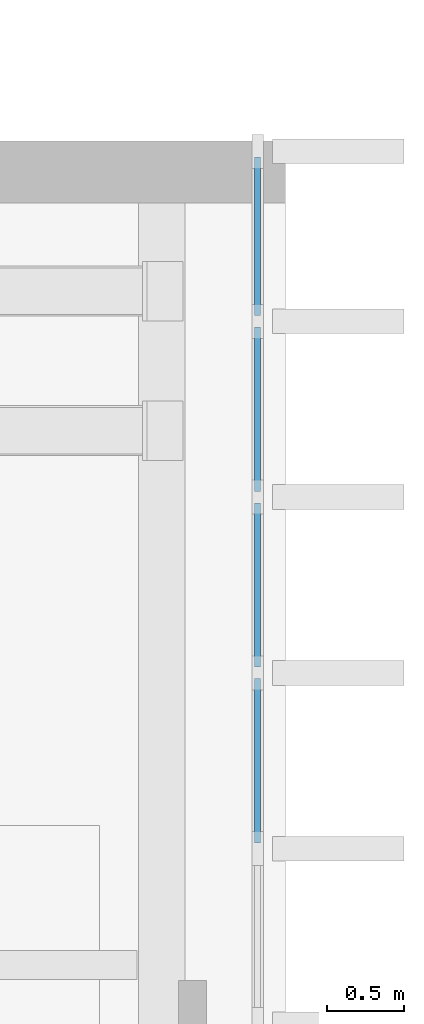
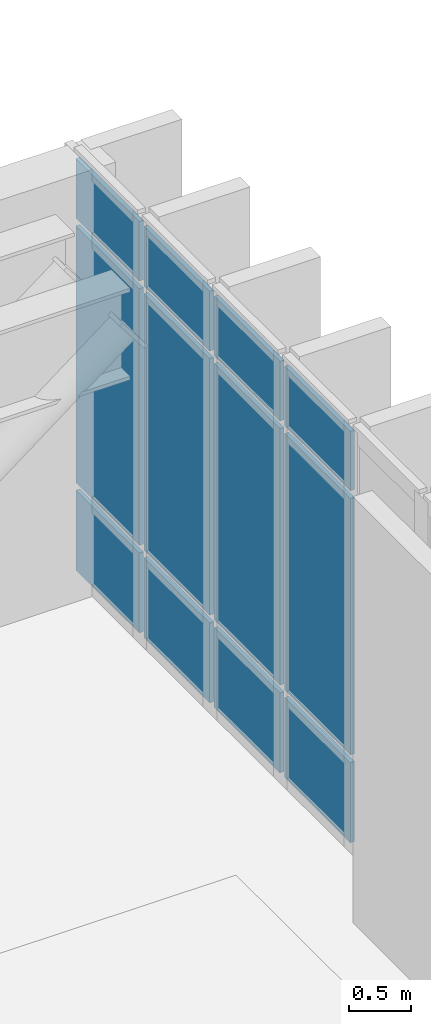
# One storey, part 35 of 54: 12 plates, 1 element without a shape of its own.
"""IFC4 building model written with IfcOpenShell, lengths in metres."""

from ifc_helpers import new_model, si_unit, direction, frame, origin, origin_2d, place, context, subcontext, project, spatial, rectangle, extrude, material, layer, layer_set, type_object, element, aggregate, save


model = new_model("IFC4")

# Units and contexts
model_context = context("Model", 3, precision=1e-05, world=origin(), true_north=direction((0.0, 1.0)))
body_context = subcontext(model_context, "Body", "Model", "MODEL_VIEW")
ifc_project = project(units=[si_unit("LENGTHUNIT", "METRE"), si_unit("AREAUNIT", "SQUARE_METRE"), si_unit("VOLUMEUNIT", "CUBIC_METRE"), si_unit("PLANEANGLEUNIT", "RADIAN"), si_unit("MASSUNIT", "GRAM", prefix="KILO")], contexts=[model_context])

# Site, building, storey
site_placement = place(None, origin())
site = spatial("IfcSite", under=ifc_project, at=site_placement, CompositionType="ELEMENT")
building_placement = place(site_placement, origin())
building = spatial("IfcBuilding", under=site, at=building_placement, Name="Kelarvand Opera House", CompositionType="ELEMENT")
storey_placement = place(building_placement, frame((0.0, 0.0, 15.0)))
storey = spatial("IfcBuildingStorey", under=building, at=storey_placement, Name="L03", CompositionType="ELEMENT", Elevation=15.0)

# Curtain wall, plates
ifc_material_1 = material(Name="Thermally broken aluminium and low-E glazing", Category="aluminium")
ifc_layer_1 = layer(ifc_material_1, 0.219970703125, Name="Thermally broken aluminium and low-E glazing", Category="aluminium")
ifc_layer_set_1 = layer_set([ifc_layer_1], Name="Thermally broken aluminium and low-E glazing")
curtain_wall_type = type_object("IfcCurtainWallType", Name="Unitised Low-E Curtain Wall 15886x4200 Mod 1150 CWF-07", PredefinedType="USERDEFINED", material=ifc_layer_set_1)
curtain_wall_placement = place(storey_placement, origin())
curtain_wall = element("IfcCurtainWall", 1, at=curtain_wall_placement, inside=storey, type_object=curtain_wall_type, Name="V1 L03 Curtain Wall CWF-07 (21)", ObjectType="UNITISED CURTAIN WALL", PredefinedType="USERDEFINED")
ifc_material_2 = material(Name="Acoustic triple-laminated low-E glazing", Category="glass")
ifc_layer_2 = layer(ifc_material_2, 0.0400390625, Name="Acoustic triple-laminated low-E glazing", Category="glass")
ifc_layer_set_2 = layer_set([ifc_layer_2], Name="Acoustic triple-laminated low-E glazing")
plate_type = type_object("IfcPlateType", Name="Acoustic Laminated Plaza Curtain Panel 40mm", PredefinedType="CURTAIN_PANEL", material=ifc_layer_set_2)
plate_1_placement = place(storey_placement, frame((154.820068359375, 77.803955078125, 0.074951171875), z_axis=(0.0, 0.0, 1.0), x_axis=(0.0, -1.0, 0.0)))
plate_1 = element("IfcPlate", 2, at=plate_1_placement, type_object=plate_type, Name="CWF-07 panel 1.1", PredefinedType="CURTAIN_PANEL", context=body_context, shape_type="SweptSolid", body=[
    extrude(rectangle(XDim=1.022216796875, YDim=0.0400390625, at=origin_2d()), origin(), (0.0, 0.0, 1.0), 0.78759765625),
])
plate_2_placement = place(storey_placement, frame((154.820068359375, 77.803955078125, 0.9375), z_axis=(0.0, 0.0, 1.0), x_axis=(0.0, -1.0, 0.0)))
plate_2 = element("IfcPlate", 3, at=plate_2_placement, type_object=plate_type, Name="CWF-07 panel 1.2", PredefinedType="CURTAIN_PANEL", context=body_context, shape_type="SweptSolid", body=[
    extrude(rectangle(XDim=1.022216796875, YDim=0.0400390625, at=origin_2d()), origin(), (0.0, 0.0, 1.0), 2.52490234375),
])
plate_3_placement = place(storey_placement, frame((154.820068359375, 77.803955078125, 3.53759765625), z_axis=(0.0, 0.0, 1.0), x_axis=(0.0, -1.0, 0.0)))
plate_3 = element("IfcPlate", 4, at=plate_3_placement, type_object=plate_type, Name="CWF-07 panel 1.3", PredefinedType="CURTAIN_PANEL", context=body_context, shape_type="SweptSolid", body=[
    extrude(rectangle(XDim=1.022216796875, YDim=0.0400390625, at=origin_2d()), origin(), (0.0, 0.0, 1.0), 0.58740234375),
])
plate_4_placement = place(storey_placement, frame((154.820068359375, 76.68798828125, 0.074951171875), z_axis=(0.0, 0.0, 1.0), x_axis=(0.0, -1.0, 0.0)))
plate_4 = element("IfcPlate", 5, at=plate_4_placement, type_object=plate_type, Name="CWF-07 panel 2.1", PredefinedType="CURTAIN_PANEL", context=body_context, shape_type="SweptSolid", body=[
    extrude(rectangle(XDim=1.059814453125, YDim=0.0400390625, at=origin_2d()), origin(), (0.0, 0.0, 1.0), 0.78759765625),
])
plate_5_placement = place(storey_placement, frame((154.820068359375, 76.68798828125, 0.9375), z_axis=(0.0, 0.0, 1.0), x_axis=(0.0, -1.0, 0.0)))
plate_5 = element("IfcPlate", 6, at=plate_5_placement, type_object=plate_type, Name="CWF-07 panel 2.2", PredefinedType="CURTAIN_PANEL", context=body_context, shape_type="SweptSolid", body=[
    extrude(rectangle(XDim=1.059814453125, YDim=0.0400390625, at=origin_2d()), origin(), (0.0, 0.0, 1.0), 2.52490234375),
])
plate_6_placement = place(storey_placement, frame((154.820068359375, 76.68798828125, 3.53759765625), z_axis=(0.0, 0.0, 1.0), x_axis=(0.0, -1.0, 0.0)))
plate_6 = element("IfcPlate", 7, at=plate_6_placement, type_object=plate_type, Name="CWF-07 panel 2.3", PredefinedType="CURTAIN_PANEL", context=body_context, shape_type="SweptSolid", body=[
    extrude(rectangle(XDim=1.059814453125, YDim=0.0400390625, at=origin_2d()), origin(), (0.0, 0.0, 1.0), 0.58740234375),
])
plate_7_placement = place(storey_placement, frame((154.820068359375, 75.55322265625, 0.074951171875), z_axis=(0.0, 0.0, 1.0), x_axis=(0.0, -1.0, 0.0)))
plate_7 = element("IfcPlate", 8, at=plate_7_placement, type_object=plate_type, Name="CWF-07 panel 3.1", PredefinedType="CURTAIN_PANEL", context=body_context, shape_type="SweptSolid", body=[
    extrude(rectangle(XDim=1.059814453125, YDim=0.0400390625, at=origin_2d()), origin(), (0.0, 0.0, 1.0), 0.78759765625),
])
plate_8_placement = place(storey_placement, frame((154.820068359375, 75.55322265625, 0.9375), z_axis=(0.0, 0.0, 1.0), x_axis=(0.0, -1.0, 0.0)))
plate_8 = element("IfcPlate", 9, at=plate_8_placement, type_object=plate_type, Name="CWF-07 panel 3.2", PredefinedType="CURTAIN_PANEL", context=body_context, shape_type="SweptSolid", body=[
    extrude(rectangle(XDim=1.059814453125, YDim=0.0400390625, at=origin_2d()), origin(), (0.0, 0.0, 1.0), 2.52490234375),
])
plate_9_placement = place(storey_placement, frame((154.820068359375, 75.55322265625, 3.53759765625), z_axis=(0.0, 0.0, 1.0), x_axis=(0.0, -1.0, 0.0)))
plate_9 = element("IfcPlate", 10, at=plate_9_placement, type_object=plate_type, Name="CWF-07 panel 3.3", PredefinedType="CURTAIN_PANEL", context=body_context, shape_type="SweptSolid", body=[
    extrude(rectangle(XDim=1.059814453125, YDim=0.0400390625, at=origin_2d()), origin(), (0.0, 0.0, 1.0), 0.58740234375),
])
plate_10_placement = place(storey_placement, frame((154.820068359375, 74.41845703125, 0.074951171875), z_axis=(0.0, 0.0, 1.0), x_axis=(0.0, -1.0, 0.0)))
plate_10 = element("IfcPlate", 11, at=plate_10_placement, type_object=plate_type, Name="CWF-07 panel 4.1", PredefinedType="CURTAIN_PANEL", context=body_context, shape_type="SweptSolid", body=[
    extrude(rectangle(XDim=1.059814453125, YDim=0.0400390625, at=origin_2d()), origin(), (0.0, 0.0, 1.0), 0.78759765625),
])
plate_11_placement = place(storey_placement, frame((154.820068359375, 74.41845703125, 0.9375), z_axis=(0.0, 0.0, 1.0), x_axis=(0.0, -1.0, 0.0)))
plate_11 = element("IfcPlate", 12, at=plate_11_placement, type_object=plate_type, Name="CWF-07 panel 4.2", PredefinedType="CURTAIN_PANEL", context=body_context, shape_type="SweptSolid", body=[
    extrude(rectangle(XDim=1.059814453125, YDim=0.0400390625, at=origin_2d()), origin(), (0.0, 0.0, 1.0), 2.52490234375),
])
plate_12_placement = place(storey_placement, frame((154.820068359375, 74.41845703125, 3.53759765625), z_axis=(0.0, 0.0, 1.0), x_axis=(0.0, -1.0, 0.0)))
plate_12 = element("IfcPlate", 13, at=plate_12_placement, type_object=plate_type, Name="CWF-07 panel 4.3", PredefinedType="CURTAIN_PANEL", context=body_context, shape_type="SweptSolid", body=[
    extrude(rectangle(XDim=1.059814453125, YDim=0.0400390625, at=origin_2d()), origin(), (0.0, 0.0, 1.0), 0.58740234375),
])
aggregate(curtain_wall, [plate_1, plate_2, plate_3, plate_4, plate_5, plate_6, plate_7, plate_8, plate_9, plate_10, plate_11, plate_12])

save(model, "model.ifc")
